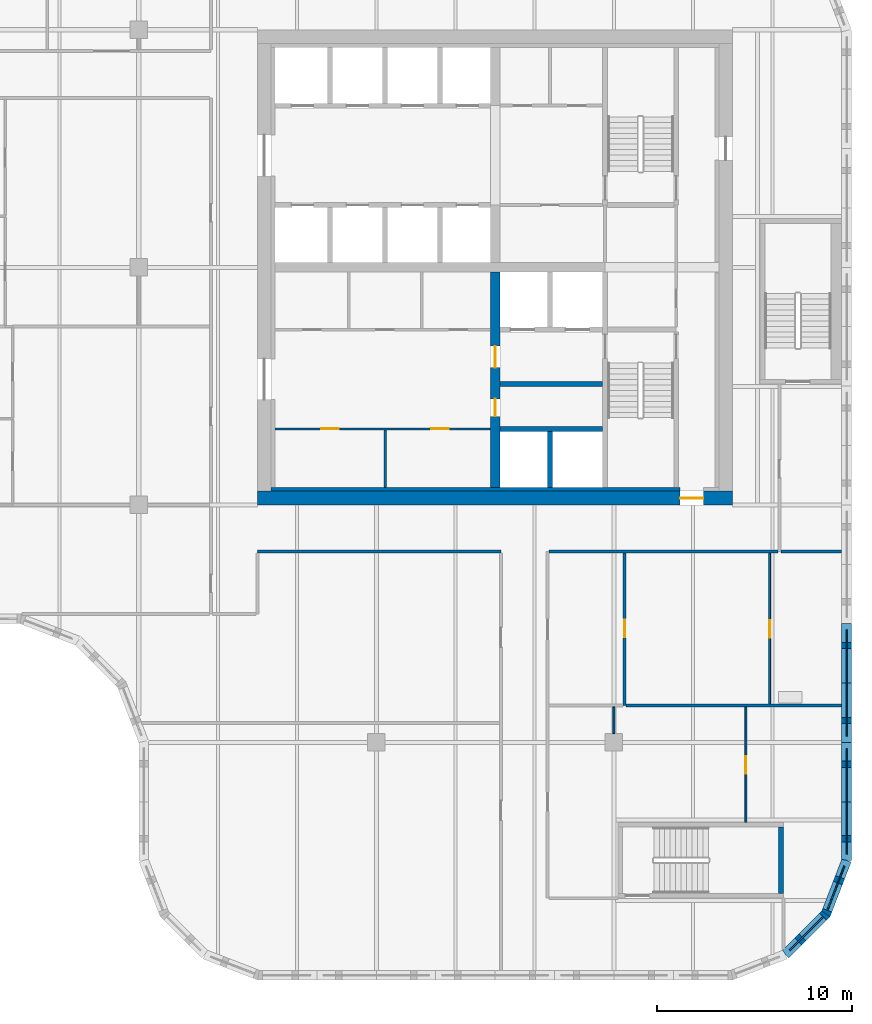
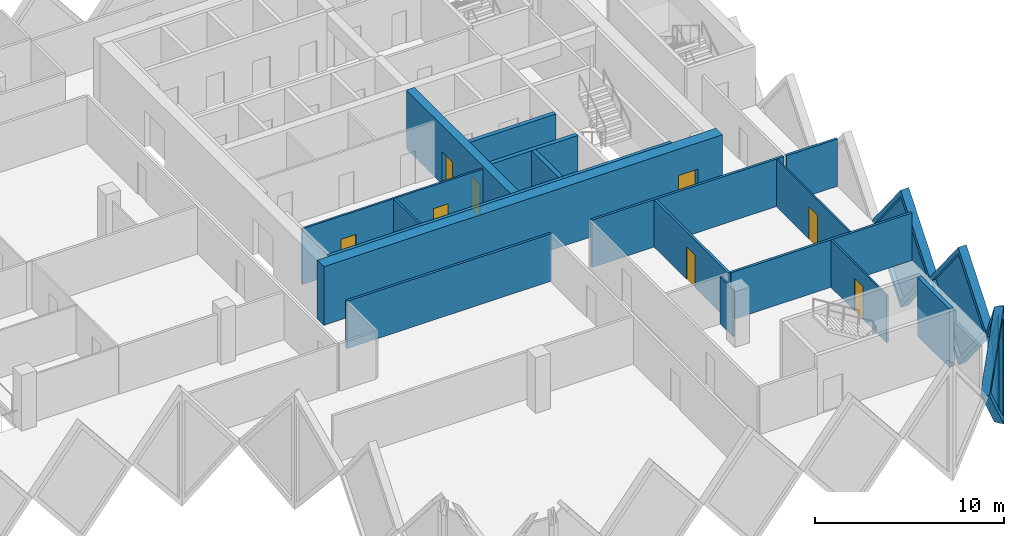
# One storey, part 5 of 12: 21 walls, 8 doors, 4 plates, 12 openings.
"""IFC4 building model written with IfcOpenShell, lengths in metres."""

from ifc_helpers import new_model, si_unit, direction, frame, frame_2d, origin, place, context, subcontext, project, spatial, polyline, rectangle, outline, extrude, faceted_brep, source, transform, mapped, material, layer, layer_set, type_object, element, fill, save


model = new_model("IFC4")

# Units and contexts
model_context = context("Model", 3, precision=1e-05, world=origin(), true_north=direction((0.0, 1.0)))
body_context = subcontext(model_context, "Body", "Model", "MODEL_VIEW")
ifc_project = project(units=[si_unit("LENGTHUNIT", "METRE"), si_unit("AREAUNIT", "SQUARE_METRE"), si_unit("VOLUMEUNIT", "CUBIC_METRE"), si_unit("PLANEANGLEUNIT", "RADIAN"), si_unit("MASSUNIT", "GRAM", prefix="KILO")], contexts=[model_context])

# Site, building, storey
site_placement = place(None, origin())
site = spatial("IfcSite", under=ifc_project, at=site_placement, CompositionType="ELEMENT")
building_placement = place(site_placement, origin())
building = spatial("IfcBuilding", under=site, at=building_placement, Name="Tessera Gate Towers", CompositionType="ELEMENT")
storey_placement = place(building_placement, frame((0.0, 0.0, 127.800048828125)))
storey = spatial("IfcBuildingStorey", under=building, at=storey_placement, Name="L31", CompositionType="ELEMENT", Elevation=127.800048828125)

# Walls
ifc_material_1 = material(Name="Concrete C40/50", Category="concrete")
ifc_layer_1 = layer(ifc_material_1, 0.25)
ifc_layer_set_1 = layer_set([ifc_layer_1], Name="CORE ENCLOSURE WALL 250")
wall_type_1 = type_object("IfcWallType", Name="CORE ENCLOSURE WALL 250", PredefinedType="SOLIDWALL", material=ifc_layer_set_1)
for number, where, z_axis, x_axis, name in (
    (1, (42.949951171875, 28.300048828125, 0.0), (0.0, 0.0, 1.0), (1.0, 0.0, 0.0), "L31 shaft and stair enclosure wall"),
    (2, (42.949951171875, 30.60009765625, 0.0), (0.0, 0.0, 1.0), (1.0, 0.0, 0.0), "L31 shaft and stair enclosure wall"),
):
    element("IfcWall", number, at=place(storey_placement, frame(where, z_axis=z_axis, x_axis=x_axis)), inside=storey, type_object=wall_type_1, Name=name, PredefinedType="SOLIDWALL", context=body_context, shape_type="SweptSolid", body=[
        extrude(rectangle(XDim=5.275146484375, YDim=0.25, at=frame_2d((2.6376953125, 0.0))), origin(), (0.0, 0.0, 1.0), 3.800048828125),
    ])
wall_1_placement = place(storey_placement, frame((45.52490234375, 25.300048828125, 0.0), z_axis=(0.0, 0.0, 1.0), x_axis=(0.0, 1.0, 0.0)))
element("IfcWall", 3, at=wall_1_placement, inside=storey, type_object=wall_type_1, Name="L31 shaft and stair enclosure wall", PredefinedType="SOLIDWALL", context=body_context, shape_type="SweptSolid", body=[
    extrude(rectangle(XDim=2.875, YDim=0.25, at=frame_2d((1.4375, 0.0))), origin(), (0.0, 0.0, 1.0), 3.800048828125),
])
wall_2_placement = place(storey_placement, frame((57.375, 7.85009765625, 0.0), z_axis=(0.0, 0.0, 1.0), x_axis=(0.0, -1.0, 0.0)))
element("IfcWall", 4, at=wall_2_placement, inside=storey, type_object=wall_type_1, Name="L31 ST4 enclosure wall", PredefinedType="SOLIDWALL", context=body_context, shape_type="SweptSolid", body=[
    extrude(rectangle(XDim=3.400146484375, YDim=0.25, at=frame_2d((1.7001953125, 0.0))), origin(), (0.0, 0.0, 1.0), 3.800048828125),
])

# Wall, openings, doors
ifc_material_2 = material(Name="Gypsum board on steel studs", Category="steel")
ifc_layer_2 = layer(ifc_material_2, 0.1201171875)
ifc_layer_set_2 = layer_set([ifc_layer_2], Name="CORE PARTITION 120")
wall_type_2 = type_object("IfcWallType", Name="CORE PARTITION 120", PredefinedType="PARTITIONING", material=ifc_layer_set_2)
wall_3_placement = place(storey_placement, frame((42.449951171875, 28.300048828125, 0.0), z_axis=(0.0, 0.0, 1.0), x_axis=(-1.0, 0.0, 0.0)))
wall_3 = element("IfcWall", 5, at=wall_3_placement, inside=storey, type_object=wall_type_2, Name="L31 core partition", PredefinedType="PARTITIONING", context=body_context, shape_type="SweptSolid", body=[
    extrude(rectangle(XDim=11.050048828125, YDim=0.1201171875, at=frame_2d((5.52490234375, 0.0))), origin(), (0.0, 0.0, 1.0), 3.599853515625),
])
shared_shape_1 = source(origin(), body_context, "Body", "SweptSolid", [
    extrude(rectangle(XDim=0.89990234375, YDim=2.10009765625, at=frame_2d((0.449951171875, 1.050048828125))), frame((0.0, 0.070068359375, 0.0), z_axis=(0.0, -1.0, 0.0), x_axis=(1.0, 0.0, 0.0)), (0.0, 0.0, 1.0), 0.14013671875),
])
opening_1_placement = place(wall_3_placement, frame((7.77490234375, 0.0, 0.0)))
opening_1 = element("IfcOpeningElement", 6, at=opening_1_placement, cuts=wall_3, Name="Opening RD-T1-21-07", PredefinedType="OPENING", context=body_context, shape_type="MappedRepresentation", body=[
    mapped(shared_shape_1, transform((0.0, 0.0, 0.0), scale=1.0)),
])
opening_2_placement = place(wall_3_placement, frame((2.125, 0.0, 0.0)))
opening_2 = element("IfcOpeningElement", 7, at=opening_2_placement, cuts=wall_3, Name="Opening RD-T1-21-08", PredefinedType="OPENING", context=body_context, shape_type="MappedRepresentation", body=[
    mapped(shared_shape_1, transform((0.0, 0.0, 0.0), scale=1.0)),
])
ifc_material_3 = material(Name="Hollow steel fire door", Category="steel")
door_type_1 = type_object("IfcDoorType", Name="CORE DOOR RD 900x2100", OperationType="NOTDEFINED", PredefinedType="DOOR", material=ifc_material_3)
shared_shape_2 = source(origin(), body_context, "Body", "SweptSolid", [
    extrude(rectangle(XDim=0.89990234375, YDim=2.10009765625, at=frame_2d((0.449951171875, 1.050048828125))), frame((0.0, 0.02490234375, 0.0), z_axis=(0.0, -1.0, 0.0), x_axis=(1.0, 0.0, 0.0)), (0.0, 0.0, 1.0), 0.050048828125),
])
door_1_placement = place(opening_1_placement, origin())
door_1 = element("IfcDoor", 8, at=door_1_placement, inside=storey, type_object=door_type_1, Name="Core room door", OperationType="SINGLE_SWING_RIGHT", OverallHeight=2.10009765625, OverallWidth=0.89990234375, PredefinedType="DOOR", context=body_context, shape_type="MappedRepresentation", body=[
    mapped(shared_shape_2, transform((0.0, 0.0, 0.0), scale=1.0)),
])
fill(opening_1, door_1)
door_2_placement = place(opening_2_placement, origin())
door_2 = element("IfcDoor", 9, at=door_2_placement, inside=storey, type_object=door_type_1, Name="Core room door", OperationType="SINGLE_SWING_LEFT", OverallHeight=2.10009765625, OverallWidth=0.89990234375, PredefinedType="DOOR", context=body_context, shape_type="MappedRepresentation", body=[
    mapped(shared_shape_2, transform((0.0, 0.0, 0.0), scale=1.0)),
])
fill(opening_2, door_2)

# Wall
wall_4_placement = place(storey_placement, frame((37.050048828125, 25.300048828125, 0.0), z_axis=(0.0, 0.0, 1.0), x_axis=(0.0, 1.0, 0.0)))
element("IfcWall", 10, at=wall_4_placement, inside=storey, type_object=wall_type_2, Name="L31 core partition", PredefinedType="PARTITIONING", context=body_context, shape_type="SweptSolid", body=[
    extrude(rectangle(XDim=2.93994140625, YDim=0.1201171875, at=frame_2d((1.469970703125, 0.0))), origin(), (0.0, 0.0, 1.0), 3.599853515625),
])

# Wall, opening, door
ifc_material_4 = material(Name="Concrete C60/75", Category="concrete")
ifc_layer_3 = layer(ifc_material_4, 0.699951171875)
ifc_layer_set_3 = layer_set([ifc_layer_3], Name="CORE SHEAR WALL 700 C60/75")
wall_type_3 = type_object("IfcWallType", Name="CORE SHEAR WALL 700 C60/75", PredefinedType="SHEAR", material=ifc_layer_set_3)
wall_5_placement = place(storey_placement, frame((54.89990234375, 24.75, 0.0), z_axis=(0.0, 0.0, 1.0), x_axis=(-1.0, 0.0, 0.0)))
wall_5 = element("IfcWall", 11, at=wall_5_placement, inside=storey, type_object=wall_type_3, Name="Core wall S L31", PredefinedType="SHEAR", context=body_context, shape_type="SweptSolid", body=[
    extrude(rectangle(XDim=24.39990234375, YDim=0.699951171875, at=frame_2d((12.199951171875, 0.0))), origin(), (0.0, 0.0, 1.0), 3.800048828125),
])
shared_shape_3 = source(origin(), body_context, "Body", "SweptSolid", [
    extrude(rectangle(XDim=1.199951171875, YDim=2.10009765625, at=frame_2d((0.60009765625, 1.050048828125))), frame((0.0, 0.35986328125, 0.0), z_axis=(0.0, -1.0, 0.0), x_axis=(1.0, 0.0, 0.0)), (0.0, 0.0, 1.0), 0.719970703125),
])
opening_3_placement = place(wall_5_placement, frame((1.5, 0.0, 0.0)))
opening_3 = element("IfcOpeningElement", 12, at=opening_3_placement, cuts=wall_5, Name="Opening ED-T1-21-01", PredefinedType="OPENING", context=body_context, shape_type="MappedRepresentation", body=[
    mapped(shared_shape_3, transform((0.0, 0.0, 0.0), scale=1.0)),
])
ifc_material_5 = material(Name="Hollow steel fire door", Category="steel")
door_type_2 = type_object("IfcDoorType", Name="CORE DOOR ED 1200x2100", OperationType="NOTDEFINED", PredefinedType="DOOR", material=ifc_material_5)
shared_shape_4 = source(origin(), body_context, "Body", "SweptSolid", [
    extrude(rectangle(XDim=1.199951171875, YDim=2.10009765625, at=frame_2d((0.60009765625, 1.050048828125))), frame((0.0, 0.02490234375, 0.0), z_axis=(0.0, -1.0, 0.0), x_axis=(1.0, 0.0, 0.0)), (0.0, 0.0, 1.0), 0.050048828125),
])
door_3_placement = place(opening_3_placement, origin())
door_3 = element("IfcDoor", 13, at=door_3_placement, inside=storey, type_object=door_type_2, Name="Core exit door", OperationType="SINGLE_SWING_LEFT", OverallHeight=2.10009765625, OverallWidth=1.199951171875, PredefinedType="DOOR", context=body_context, shape_type="MappedRepresentation", body=[
    mapped(shared_shape_4, transform((0.0, 0.0, 0.0), scale=1.0)),
])
fill(opening_3, door_3)

# Wall, openings, doors
ifc_material_6 = material(Name="Concrete C60/75", Category="concrete")
ifc_layer_4 = layer(ifc_material_6, 0.5)
ifc_layer_set_4 = layer_set([ifc_layer_4], Name="CORE SPINE WALL 500 C60/75")
wall_type_4 = type_object("IfcWallType", Name="CORE SPINE WALL 500 C60/75", PredefinedType="SHEAR", material=ifc_layer_set_4)
wall_6_placement = place(storey_placement, frame((42.699951171875, 36.35009765625, 0.0), z_axis=(0.0, 0.0, 1.0), x_axis=(0.0, -1.0, 0.0)))
wall_6 = element("IfcWall", 14, at=wall_6_placement, inside=storey, type_object=wall_type_4, Name="Core wall spine L31", PredefinedType="SHEAR", context=body_context, shape_type="SweptSolid", body=[
    extrude(rectangle(XDim=11.050048828125, YDim=0.5, at=frame_2d((5.52490234375, 0.0))), origin(), (0.0, 0.0, 1.0), 3.800048828125),
])
shared_shape_5 = source(origin(), body_context, "Body", "SweptSolid", [
    extrude(rectangle(XDim=0.89990234375, YDim=2.10009765625, at=frame_2d((0.449951171875, 1.050048828125))), frame((0.0, 0.260009765625, 0.0), z_axis=(0.0, -1.0, 0.0), x_axis=(1.0, 0.0, 0.0)), (0.0, 0.0, 1.0), 0.52001953125),
])
opening_4_placement = place(wall_6_placement, frame((6.5, 0.0, 0.0)))
opening_4 = element("IfcOpeningElement", 15, at=opening_4_placement, cuts=wall_6, Name="Opening RD-T1-21-05", PredefinedType="OPENING", context=body_context, shape_type="MappedRepresentation", body=[
    mapped(shared_shape_5, transform((0.0, 0.0, 0.0), scale=1.0)),
])
shared_shape_6 = source(origin(), body_context, "Body", "SweptSolid", [
    extrude(rectangle(XDim=1.10009765625, YDim=2.10009765625, at=frame_2d((0.550048828125, 1.050048828125))), frame((0.0, 0.260009765625, 0.0), z_axis=(0.0, -1.0, 0.0), x_axis=(1.0, 0.0, 0.0)), (0.0, 0.0, 1.0), 0.52001953125),
])
opening_5_placement = place(wall_6_placement, frame((3.800048828125, 0.0, 0.0)))
opening_5 = element("IfcOpeningElement", 16, at=opening_5_placement, cuts=wall_6, Name="Opening FD-T1-21-06", PredefinedType="OPENING", context=body_context, shape_type="MappedRepresentation", body=[
    mapped(shared_shape_6, transform((0.0, 0.0, 0.0), scale=1.0)),
])
door_4_placement = place(opening_4_placement, origin())
door_4 = element("IfcDoor", 17, at=door_4_placement, inside=storey, type_object=door_type_1, Name="Core room door", OperationType="SINGLE_SWING_RIGHT", OverallHeight=2.10009765625, OverallWidth=0.89990234375, PredefinedType="DOOR", context=body_context, shape_type="MappedRepresentation", body=[
    mapped(shared_shape_2, transform((0.0, 0.0, 0.0), scale=1.0)),
])
fill(opening_4, door_4)
ifc_material_7 = material(Name="Hollow steel fire door", Category="steel")
door_type_3 = type_object("IfcDoorType", Name="CORE DOOR FD 1100x2100", OperationType="NOTDEFINED", PredefinedType="DOOR", material=ifc_material_7)
shared_shape_7 = source(origin(), body_context, "Body", "SweptSolid", [
    extrude(rectangle(XDim=1.10009765625, YDim=2.10009765625, at=frame_2d((0.550048828125, 1.050048828125))), frame((0.0, 0.02490234375, 0.0), z_axis=(0.0, -1.0, 0.0), x_axis=(1.0, 0.0, 0.0)), (0.0, 0.0, 1.0), 0.050048828125),
])
door_5_placement = place(opening_5_placement, origin())
door_5 = element("IfcDoor", 18, at=door_5_placement, inside=storey, type_object=door_type_3, Name="Fire-fighting lobby door", OperationType="SINGLE_SWING_LEFT", OverallHeight=2.10009765625, OverallWidth=1.10009765625, PredefinedType="DOOR", context=body_context, shape_type="MappedRepresentation", body=[
    mapped(shared_shape_7, transform((0.0, 0.0, 0.0), scale=1.0)),
])
fill(opening_5, door_5)

# Walls
ifc_material_8 = material(Name="Concrete C60/75", Category="concrete")
ifc_layer_5 = layer(ifc_material_8, 0.199951171875)
ifc_layer_set_5 = layer_set([ifc_layer_5], Name="CORE WALL THICKENING 200")
wall_type_5 = type_object("IfcWallType", Name="CORE WALL THICKENING 200", PredefinedType="SOLIDWALL", material=ifc_layer_set_5)
wall_7_placement = place(storey_placement, frame((31.199951171875, 25.199951171875, 0.0), z_axis=(0.0, 0.0, 1.0), x_axis=(1.0, 0.0, 0.0)))
element("IfcWall", 19, at=wall_7_placement, inside=storey, type_object=wall_type_5, Name="Core wall thickening S L31", PredefinedType="SOLIDWALL", context=body_context, shape_type="SweptSolid", body=[
    extrude(rectangle(XDim=21.0, YDim=0.199951171875, at=frame_2d((10.5, 0.0))), origin(), (0.0, 0.0, 1.0), 3.800048828125),
])
ifc_material_9 = material(Name="Gypsum board on steel studs, mineral wool", Category="steel")
ifc_layer_6 = layer(ifc_material_9, 0.14990234375)
ifc_layer_set_6 = layer_set([ifc_layer_6], Name="CORRIDOR WALL 150")
wall_type_6 = type_object("IfcWallType", Name="CORRIDOR WALL 150", PredefinedType="PARTITIONING", material=ifc_layer_set_6)
wall_8_placement = place(storey_placement, frame((30.5, 22.0, 0.0), z_axis=(0.0, 0.0, 1.0), x_axis=(1.0, 0.0, 0.0)))
element("IfcWall", 20, at=wall_8_placement, inside=storey, type_object=wall_type_6, Name="T1-L31-PW-017", PredefinedType="PARTITIONING", context=body_context, shape_type="SweptSolid", body=[
    extrude(rectangle(XDim=12.5, YDim=0.14990234375, at=frame_2d((6.25, 0.0))), origin(), (0.0, 0.0, 1.0), 3.06689453125),
])
wall_9_placement = place(storey_placement, frame((45.47607421875, 22.0, 0.0), z_axis=(0.0, 0.0, 1.0), x_axis=(1.0, 0.0, 0.0)))
element("IfcWall", 21, at=wall_9_placement, inside=storey, type_object=wall_type_6, Name="T1-L31-PW-018", PredefinedType="PARTITIONING", context=body_context, shape_type="SweptSolid", body=[
    extrude(rectangle(XDim=11.748046875, YDim=0.14990234375, at=frame_2d((5.8740234375, 0.0))), origin(), (0.0, 0.0, 1.0), 3.06689453125),
])

# Wall, opening, door
ifc_material_10 = material(Name="Gypsum board on steel studs", Category="steel")
ifc_layer_7 = layer(ifc_material_10, 0.10009765625)
ifc_layer_set_7 = layer_set([ifc_layer_7], Name="PARTITION 100")
wall_type_7 = type_object("IfcWallType", Name="PARTITION 100", PredefinedType="PARTITIONING", material=ifc_layer_set_7)
wall_10_placement = place(storey_placement, frame((55.574951171875, 14.02392578125, 0.0), z_axis=(0.0, 0.0, 1.0), x_axis=(0.0, -1.0, 0.0)))
wall_10 = element("IfcWall", 22, at=wall_10_placement, inside=storey, type_object=wall_type_7, Name="T1-L31-PW-005", PredefinedType="PARTITIONING", context=body_context, shape_type="SweptSolid", body=[
    extrude(rectangle(XDim=5.923828125, YDim=0.10009765625, at=frame_2d((2.9619140625, 0.0))), origin(), (0.0, 0.0, 1.0), 3.06689453125),
])
shared_shape_8 = source(origin(), body_context, "Body", "SweptSolid", [
    extrude(rectangle(XDim=0.89990234375, YDim=2.10009765625, at=frame_2d((0.449951171875, 1.050048828125))), frame((0.0, 0.06005859375, 0.0), z_axis=(0.0, -1.0, 0.0), x_axis=(1.0, 0.0, 0.0)), (0.0, 0.0, 1.0), 0.1201171875),
])
opening_6_placement = place(wall_10_placement, frame((2.52392578125, 0.0, 0.0)))
opening_6 = element("IfcOpeningElement", 23, at=opening_6_placement, cuts=wall_10, Name="Opening D190-A11-02", PredefinedType="OPENING", context=body_context, shape_type="MappedRepresentation", body=[
    mapped(shared_shape_8, transform((0.0, 0.0, 0.0), scale=1.0)),
])
ifc_material_11 = material(Name="Timber door leaf in steel frame", Category="steel")
door_type_4 = type_object("IfcDoorType", Name="INTERNAL DOOR 900 NOT RATED", OperationType="NOTDEFINED", PredefinedType="DOOR", material=ifc_material_11)
door_6_placement = place(opening_6_placement, origin())
door_6 = element("IfcDoor", 24, at=door_6_placement, inside=storey, type_object=door_type_4, Name="T1-L31-PD-009", OperationType="SINGLE_SWING_RIGHT", OverallHeight=2.10009765625, OverallWidth=0.89990234375, PredefinedType="DOOR", context=body_context, shape_type="MappedRepresentation", body=[
    mapped(shared_shape_2, transform((0.0, 0.0, 0.0), scale=1.0)),
])
fill(opening_6, door_6)

# Wall
wall_11_placement = place(storey_placement, frame((48.800048828125, 12.64990234375, 0.0), z_axis=(0.0, 0.0, 1.0), x_axis=(0.0, 1.0, 0.0)))
element("IfcWall", 25, at=wall_11_placement, inside=storey, type_object=wall_type_7, Name="T1-L31-PW-006", PredefinedType="PARTITIONING", context=body_context, shape_type="SweptSolid", body=[
    extrude(rectangle(XDim=1.375, YDim=0.10009765625, at=frame_2d((0.6875, 0.0))), origin(), (0.0, 0.0, 1.0), 3.06689453125),
])

# Wall, opening, door
wall_12_placement = place(storey_placement, frame((56.800048828125, 21.924072265625, 0.0), z_axis=(0.0, 0.0, 1.0), x_axis=(0.0, -1.0, 0.0)))
wall_12 = element("IfcWall", 26, at=wall_12_placement, inside=storey, type_object=wall_type_7, Name="T1-L31-PW-011", PredefinedType="PARTITIONING", context=body_context, shape_type="SweptSolid", body=[
    extrude(rectangle(XDim=7.748046875, YDim=0.10009765625, at=frame_2d((3.8740234375, 0.0))), origin(), (0.0, 0.0, 1.0), 3.06689453125),
])
opening_7_placement = place(wall_12_placement, frame((3.447998046875, 0.0, 0.0)))
opening_7 = element("IfcOpeningElement", 27, at=opening_7_placement, cuts=wall_12, Name="Opening D190-A11-03", PredefinedType="OPENING", context=body_context, shape_type="MappedRepresentation", body=[
    mapped(shared_shape_8, transform((0.0, 0.0, 0.0), scale=1.0)),
])
door_7_placement = place(opening_7_placement, origin())
door_7 = element("IfcDoor", 28, at=door_7_placement, inside=storey, type_object=door_type_4, Name="T1-L31-PD-012", OperationType="SINGLE_SWING_RIGHT", OverallHeight=2.10009765625, OverallWidth=0.89990234375, PredefinedType="DOOR", context=body_context, shape_type="MappedRepresentation", body=[
    mapped(shared_shape_2, transform((0.0, 0.0, 0.0), scale=1.0)),
])
fill(opening_7, door_7)

ifc_material_12 = material(Name="Gypsum board on steel studs, mineral wool", Category="steel")
ifc_layer_8 = layer(ifc_material_12, 0.14990234375)
ifc_layer_set_8 = layer_set([ifc_layer_8], Name="TENANCY WALL 150")
wall_type_8 = type_object("IfcWallType", Name="TENANCY WALL 150", PredefinedType="PARTITIONING", material=ifc_layer_set_8)
wall_13_placement = place(storey_placement, frame((49.35009765625, 21.924072265625, 0.0), z_axis=(0.0, 0.0, 1.0), x_axis=(0.0, -1.0, 0.0)))
wall_13 = element("IfcWall", 29, at=wall_13_placement, inside=storey, type_object=wall_type_8, Name="T1-L31-PW-009", PredefinedType="PARTITIONING", context=body_context, shape_type="SweptSolid", body=[
    extrude(rectangle(XDim=7.823974609375, YDim=0.14990234375, at=frame_2d((3.912109375, 0.0))), origin(), (0.0, 0.0, 1.0), 3.06689453125),
])
shared_shape_9 = source(origin(), body_context, "Body", "SweptSolid", [
    extrude(rectangle(XDim=0.89990234375, YDim=2.10009765625, at=frame_2d((0.449951171875, 1.050048828125))), frame((0.0, 0.0849609375, 0.0), z_axis=(0.0, -1.0, 0.0), x_axis=(1.0, 0.0, 0.0)), (0.0, 0.0, 1.0), 0.169921875),
])
opening_8_placement = place(wall_13_placement, frame((3.424072265625, 0.0, 0.0)))
opening_8 = element("IfcOpeningElement", 30, at=opening_8_placement, cuts=wall_13, Name="Opening D190-A11-04", PredefinedType="OPENING", context=body_context, shape_type="MappedRepresentation", body=[
    mapped(shared_shape_9, transform((0.0, 0.0, 0.0), scale=1.0)),
])
door_8_placement = place(opening_8_placement, origin())
door_8 = element("IfcDoor", 31, at=door_8_placement, inside=storey, type_object=door_type_4, Name="T1-L31-PD-013", OperationType="SINGLE_SWING_RIGHT", OverallHeight=2.10009765625, OverallWidth=0.89990234375, PredefinedType="DOOR", context=body_context, shape_type="MappedRepresentation", body=[
    mapped(shared_shape_2, transform((0.0, 0.0, 0.0), scale=1.0)),
])
fill(opening_8, door_8)

# Walls
wall_14_placement = place(storey_placement, frame((49.426025390625, 14.10009765625, 0.0), z_axis=(0.0, 0.0, 1.0), x_axis=(1.0, 0.0, 0.0)))
element("IfcWall", 32, at=wall_14_placement, inside=storey, type_object=wall_type_8, Name="T1-L31-PW-010", PredefinedType="PARTITIONING", context=body_context, shape_type="SweptSolid", body=[
    extrude(rectangle(XDim=11.073974609375, YDim=0.14990234375, at=frame_2d((5.537109375, 0.0))), origin(), (0.0, 0.0, 1.0), 3.06689453125),
])
wall_15_placement = place(storey_placement, frame((57.3759765625, 22.0, 0.0), z_axis=(0.0, 0.0, 1.0), x_axis=(1.0, 0.0, 0.0)))
element("IfcWall", 33, at=wall_15_placement, inside=storey, type_object=wall_type_8, Name="T1-L31-PW-020", PredefinedType="PARTITIONING", context=body_context, shape_type="SweptSolid", body=[
    extrude(rectangle(XDim=3.1240234375, YDim=0.14990234375, at=frame_2d((1.56201171875, 0.0))), origin(), (0.0, 0.0, 1.0), 3.06689453125),
])

# Wall, opening, plate
ifc_material_13 = material(Name="Precast concrete C60/75 white", Category="concrete")
ifc_layer_9 = layer(ifc_material_13, 0.5)
ifc_layer_set_9 = layer_set([ifc_layer_9], Name="TS1 tessera")
wall_type_9 = type_object("IfcWallType", Name="TS1 tessera", PredefinedType="SOLIDWALL", material=ifc_layer_set_9)
shared_shape_10 = source(origin(), body_context, "Body", "Brep", [
    faceted_brep([(3.00341796875, -0.25, 0.0), (6.053466796875, -0.25, 3.800048828125), (3.00341796875, -0.25, 7.60009765625), (0.0, -0.25, 3.800048828125), (0.046630859375, 0.25, 3.85888671875), (3.00341796875, 0.25, 7.60009765625), (6.053466796875, 0.25, 3.800048828125), (3.00341796875, 0.25, 0.0), (0.046630859375, 0.25, 3.7412109375), (0.0, 0.0, 3.800048828125)], [[[0, 1, 2, 3]], [[4, 5, 6, 7, 8]], [[7, 6, 1, 0]], [[6, 5, 2, 1]], [[5, 4, 9, 3, 2]], [[8, 7, 0, 3, 9]], [[8, 9, 4]]]),
])
wall_16_placement = place(storey_placement, frame((60.75, 6.146484375, -3.800048828125), z_axis=(0.0, 0.0, 1.0), x_axis=(0.0, 1.0, 0.0)))
wall_16 = element("IfcWall", 34, at=wall_16_placement, inside=storey, type_object=wall_type_9, Name="Precast tessera T1 TS1-0509", PredefinedType="SOLIDWALL", context=body_context, shape_type="MappedRepresentation", body=[
    mapped(shared_shape_10, transform((0.0, 0.0, 0.0), scale=1.0)),
])
shared_shape_11 = source(origin(), body_context, "Body", "SweptSolid", [
    extrude(outline(polyline([(3.0048828125, 0.4013671875), (5.73291015625, 3.800048828125), (3.0048828125, 7.19873046875), (0.318603515625, 3.800048828125), (3.0048828125, 0.4013671875)])), frame((0.0, 0.260009765625, 0.0), z_axis=(0.0, -1.0, 0.0), x_axis=(1.0, 0.0, 0.0)), (0.0, 0.0, 1.0), 0.52001953125),
])
opening_9_placement = place(wall_16_placement, origin())
opening_9 = element("IfcOpeningElement", 35, at=opening_9_placement, cuts=wall_16, Name="Opening T1-PL2-1043", PredefinedType="OPENING", context=body_context, shape_type="MappedRepresentation", body=[
    mapped(shared_shape_11, transform((0.0, 0.0, 0.0), scale=1.0)),
])
ifc_material_14 = material(Name="Low-e laminated glass", Category="glass")
ifc_layer_10 = layer(ifc_material_14, 0.06005859375)
ifc_layer_set_10 = layer_set([ifc_layer_10], Name="PL2 rhombic pane")
plate_type = type_object("IfcPlateType", Name="PL2 rhombic pane", PredefinedType="SHEET", material=ifc_layer_set_10)
shared_shape_12 = source(origin(), body_context, "Body", "SweptSolid", [
    extrude(outline(polyline([(3.0048828125, 0.4013671875), (5.73291015625, 3.800048828125), (3.0048828125, 7.19873046875), (0.318603515625, 3.800048828125), (3.0048828125, 0.4013671875)])), frame((0.0, 0.030029296875, 0.0), z_axis=(0.0, -1.0, 0.0), x_axis=(1.0, 0.0, 0.0)), (0.0, 0.0, 1.0), 0.06005859375),
])
plate_1_placement = place(opening_9_placement, origin())
plate_1 = element("IfcPlate", 36, at=plate_1_placement, inside=storey, type_object=plate_type, Name="Glass pane T1 PL2-1043", PredefinedType="SHEET", context=body_context, shape_type="MappedRepresentation", body=[
    mapped(shared_shape_12, transform((0.0, 0.0, 0.0), scale=1.0)),
])
fill(opening_9, plate_1)

shared_shape_13 = source(origin(), body_context, "Body", "SweptSolid", [
    extrude(outline(polyline([(3.050048828125, 0.0), (6.10009765625, 3.800048828125), (3.050048828125, 7.60009765625), (0.0, 3.800048828125), (3.050048828125, 0.0)])), frame((0.0, 0.25, 0.0), z_axis=(0.0, -1.0, 0.0), x_axis=(1.0, 0.0, 0.0)), (0.0, 0.0, 1.0), 0.5),
])
wall_17_placement = place(storey_placement, frame((60.75, 12.199951171875, -3.800048828125), z_axis=(0.0, 0.0, 1.0), x_axis=(0.0, 1.0, 0.0)))
wall_17 = element("IfcWall", 37, at=wall_17_placement, inside=storey, type_object=wall_type_9, Name="Precast tessera T1 TS1-0510", PredefinedType="SOLIDWALL", context=body_context, shape_type="MappedRepresentation", body=[
    mapped(shared_shape_13, transform((0.0, 0.0, 0.0), scale=1.0)),
])
shared_shape_14 = source(origin(), body_context, "Body", "SweptSolid", [
    extrude(outline(polyline([(3.050048828125, 0.3994140625), (5.779541015625, 3.800048828125), (3.050048828125, 7.20068359375), (0.320556640625, 3.800048828125), (3.050048828125, 0.3994140625)])), frame((0.0, 0.260009765625, 0.0), z_axis=(0.0, -1.0, 0.0), x_axis=(1.0, 0.0, 0.0)), (0.0, 0.0, 1.0), 0.52001953125),
])
opening_10_placement = place(wall_17_placement, origin())
opening_10 = element("IfcOpeningElement", 38, at=opening_10_placement, cuts=wall_17, Name="Opening T1-PL2-1044", PredefinedType="OPENING", context=body_context, shape_type="MappedRepresentation", body=[
    mapped(shared_shape_14, transform((0.0, 0.0, 0.0), scale=1.0)),
])
shared_shape_15 = source(origin(), body_context, "Body", "SweptSolid", [
    extrude(outline(polyline([(3.050048828125, 0.3994140625), (5.779541015625, 3.800048828125), (3.050048828125, 7.20068359375), (0.320556640625, 3.800048828125), (3.050048828125, 0.3994140625)])), frame((0.0, 0.030029296875, 0.0), z_axis=(0.0, -1.0, 0.0), x_axis=(1.0, 0.0, 0.0)), (0.0, 0.0, 1.0), 0.06005859375),
])
plate_2_placement = place(opening_10_placement, origin())
plate_2 = element("IfcPlate", 39, at=plate_2_placement, inside=storey, type_object=plate_type, Name="Glass pane T1 PL2-1044", PredefinedType="SHEET", context=body_context, shape_type="MappedRepresentation", body=[
    mapped(shared_shape_15, transform((0.0, 0.0, 0.0), scale=1.0)),
])
fill(opening_10, plate_2)

ifc_material_15 = material(Name="Precast concrete C60/75 white", Category="concrete")
ifc_layer_11 = layer(ifc_material_15, 0.5)
ifc_layer_set_11 = layer_set([ifc_layer_11], Name="TS3 corner tessera")
wall_type_10 = type_object("IfcWallType", Name="TS3 corner tessera", PredefinedType="SOLIDWALL", material=ifc_layer_set_11)
shared_shape_16 = source(origin(), body_context, "Body", "Brep", [
    faceted_brep([(2.944091796875, -0.25, 0.0), (2.9970703125, -0.25, 0.068115234375), (2.9970703125, -0.25, 7.531982421875), (2.944091796875, -0.25, 7.60009765625), (0.0, -0.25, 3.800048828125), (0.052978515625, 0.25, 3.868408203125), (2.89111328125, 0.25, 7.531982421875), (2.89111328125, 0.25, 0.068115234375), (0.052978515625, 0.25, 3.731689453125), (2.944091796875, 0.000244140625, 0.0), (2.944091796875, 0.000244140625, 7.60009765625), (0.0, 0.0, 3.800048828125)], [[[0, 1, 2, 3, 4]], [[5, 6, 7, 8]], [[1, 0, 9]], [[10, 3, 2]], [[6, 5, 11, 4, 3, 10]], [[8, 7, 9, 0, 4, 11]], [[8, 11, 5]], [[1, 9, 7, 6, 10, 2]]]),
])
wall_18_placement = place(storey_placement, frame((57.606201171875, 1.31201171875, -3.800048828125), z_axis=(0.0, 0.0, 1.0), x_axis=(0.707147509625, 0.707066050402, 0.0)))
wall_18 = element("IfcWall", 40, at=wall_18_placement, inside=storey, type_object=wall_type_10, Name="Precast corner tessera T1 TS3-0701", PredefinedType="SOLIDWALL", context=body_context, shape_type="MappedRepresentation", body=[
    mapped(shared_shape_16, transform((0.0, 0.0, 0.0), scale=1.0)),
])
shared_shape_17 = source(origin(), body_context, "Body", "SweptSolid", [
    extrude(outline(polyline([(2.744140625, 6.93359375), (0.316162109375, 3.800048828125), (2.744140625, 0.666259765625), (2.744140625, 6.93359375)])), frame((0.0, 0.260009765625, 0.0), z_axis=(0.0, -1.0, 0.0), x_axis=(1.0, 0.0, 0.0)), (0.0, 0.0, 1.0), 0.52001953125),
])
opening_11_placement = place(wall_18_placement, origin())
opening_11 = element("IfcOpeningElement", 41, at=opening_11_placement, cuts=wall_18, Name="Opening T1-PL2-1041", PredefinedType="OPENING", context=body_context, shape_type="MappedRepresentation", body=[
    mapped(shared_shape_17, transform((0.0, 0.0, 0.0), scale=1.0)),
])
shared_shape_18 = source(origin(), body_context, "Body", "SweptSolid", [
    extrude(outline(polyline([(2.744140625, 6.93359375), (0.316162109375, 3.800048828125), (2.744140625, 0.666259765625), (2.744140625, 6.93359375)])), frame((0.0, 0.030029296875, 0.0), z_axis=(0.0, -1.0, 0.0), x_axis=(1.0, 0.0, 0.0)), (0.0, 0.0, 1.0), 0.06005859375),
])
plate_3_placement = place(opening_11_placement, origin())
plate_3 = element("IfcPlate", 42, at=plate_3_placement, inside=storey, type_object=plate_type, Name="Glass pane T1 PL2-1041", PredefinedType="SHEET", context=body_context, shape_type="MappedRepresentation", body=[
    mapped(shared_shape_18, transform((0.0, 0.0, 0.0), scale=1.0)),
])
fill(opening_11, plate_3)

shared_shape_19 = source(origin(), body_context, "Body", "Brep", [
    faceted_brep([(0.052978515625, -0.25, 0.0), (3.00341796875, -0.25, 3.800048828125), (0.052978515625, -0.25, 7.60009765625), (0.0, -0.25, 7.53173828125), (0.0, -0.25, 0.068359375), (0.10595703125, 0.25, 7.531982421875), (2.95703125, 0.25, 3.85986328125), (2.95703125, 0.25, 3.740234375), (0.10595703125, 0.25, 0.068115234375), (3.00341796875, 0.00048828125, 3.800048828125), (0.052978515625, 0.0, 0.0), (0.052978515625, 0.0, 7.60009765625)], [[[0, 1, 2, 3, 4]], [[5, 6, 7, 8]], [[8, 7, 9, 1, 0, 10]], [[6, 5, 11, 2, 1, 9]], [[3, 2, 11]], [[10, 0, 4]], [[8, 10, 4, 3, 11, 5]], [[9, 7, 6]]]),
])
wall_19_placement = place(storey_placement, frame((59.6689453125, 3.34423828125, -3.800048828125), z_axis=(0.0, 0.0, 1.0), x_axis=(0.35992665181, 0.932980602862, 0.0)))
wall_19 = element("IfcWall", 43, at=wall_19_placement, inside=storey, type_object=wall_type_10, Name="Precast corner tessera T1 TS3-0702", PredefinedType="SOLIDWALL", context=body_context, shape_type="MappedRepresentation", body=[
    mapped(shared_shape_19, transform((0.0, 0.0, 0.0), scale=1.0)),
])
shared_shape_20 = source(origin(), body_context, "Body", "SweptSolid", [
    extrude(outline(polyline([(0.2529296875, 0.665283203125), (2.68701171875, 3.800048828125), (0.2529296875, 6.934814453125), (0.2529296875, 0.665283203125)])), frame((0.0, 0.260009765625, 0.0), z_axis=(0.0, -1.0, 0.0), x_axis=(1.0, 0.0, 0.0)), (0.0, 0.0, 1.0), 0.52001953125),
])
opening_12_placement = place(wall_19_placement, origin())
opening_12 = element("IfcOpeningElement", 44, at=opening_12_placement, cuts=wall_19, Name="Opening T1-PL2-1042", PredefinedType="OPENING", context=body_context, shape_type="MappedRepresentation", body=[
    mapped(shared_shape_20, transform((0.0, 0.0, 0.0), scale=1.0)),
])
shared_shape_21 = source(origin(), body_context, "Body", "SweptSolid", [
    extrude(outline(polyline([(0.2529296875, 0.665283203125), (2.68701171875, 3.800048828125), (0.2529296875, 6.934814453125), (0.2529296875, 0.665283203125)])), frame((0.0, 0.030029296875, 0.0), z_axis=(0.0, -1.0, 0.0), x_axis=(1.0, 0.0, 0.0)), (0.0, 0.0, 1.0), 0.06005859375),
])
plate_4_placement = place(opening_12_placement, origin())
plate_4 = element("IfcPlate", 45, at=plate_4_placement, inside=storey, type_object=plate_type, Name="Glass pane T1 PL2-1042", PredefinedType="SHEET", context=body_context, shape_type="MappedRepresentation", body=[
    mapped(shared_shape_21, transform((0.0, 0.0, 0.0), scale=1.0)),
])
fill(opening_12, plate_4)

save(model, "model.ifc")
